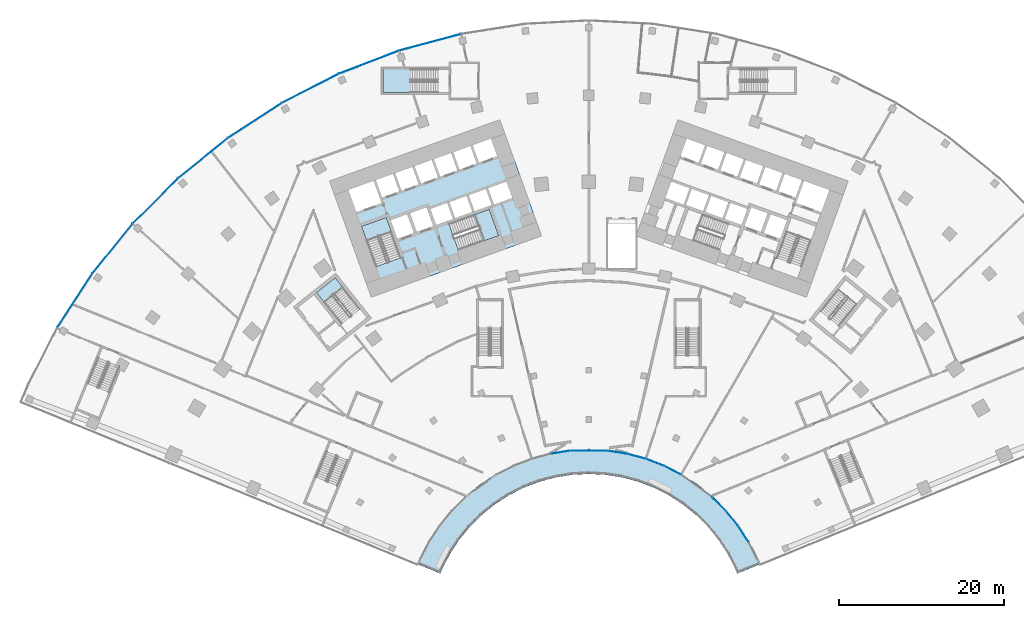
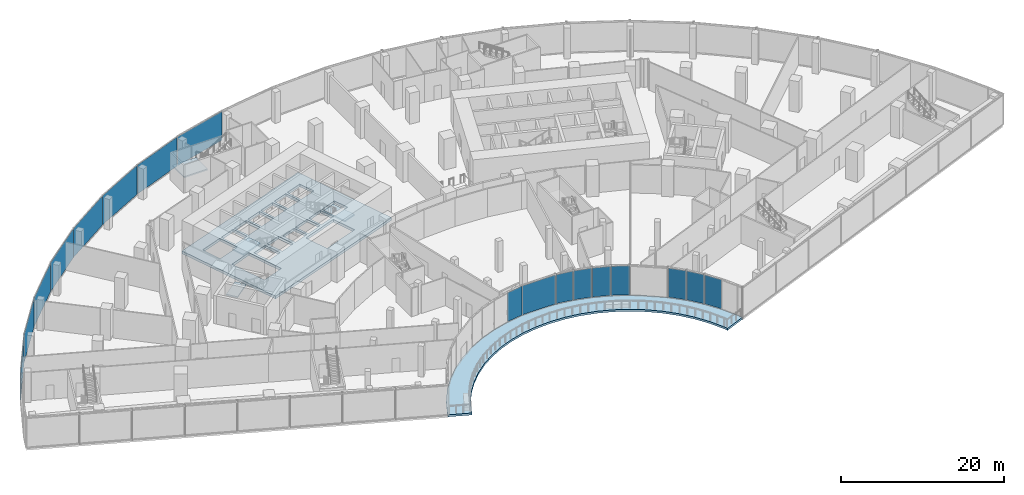
# One storey, part 18 of 40: 17 plates, 6 slabs, 6 elements without a shape of their own.
"""IFC4 building model written with IfcOpenShell, lengths in metres."""

from ifc_helpers import new_model, si_unit, direction, frame, origin, origin_2d, place, context, subcontext, project, spatial, polyline, rectangle, outline, extrude, material, layer, layer_set, type_object, element, aggregate, save


model = new_model("IFC4")

# Units and contexts
model_context = context("Model", 3, precision=1e-05, world=origin(), true_north=direction((0.0, 1.0)))
body_context = subcontext(model_context, "Body", "Model", "MODEL_VIEW")
ifc_project = project(units=[si_unit("LENGTHUNIT", "METRE"), si_unit("AREAUNIT", "SQUARE_METRE"), si_unit("VOLUMEUNIT", "CUBIC_METRE"), si_unit("PLANEANGLEUNIT", "RADIAN"), si_unit("MASSUNIT", "GRAM", prefix="KILO")], contexts=[model_context])

# Site, building, storey
site_placement = place(None, origin())
site = spatial("IfcSite", under=ifc_project, at=site_placement, CompositionType="ELEMENT")
building_placement = place(site_placement, origin())
building = spatial("IfcBuilding", under=site, at=building_placement, Name="Stone Belt Terrace Tower", CompositionType="ELEMENT")
storey_placement = place(building_placement, frame((0.0, 0.0, 11.60009765625)))
storey = spatial("IfcBuildingStorey", under=building, at=storey_placement, Name="L02", CompositionType="ELEMENT", Elevation=11.60009765625)

# Curtain wall, plates
ifc_material_1 = material(Name="Aluminium 6063-T6 anodised frame", Category="aluminium")
ifc_layer_1 = layer(ifc_material_1, 0.14990234375)
ifc_layer_set_1 = layer_set([ifc_layer_1], Name="CW-D podium shopfront")
curtain_wall_type = type_object("IfcCurtainWallType", Name="CW-D podium shopfront", PredefinedType="NOTDEFINED", material=ifc_layer_set_1)
curtain_wall_1_placement = place(storey_placement, origin())
curtain_wall_1 = element("IfcCurtainWall", 1, at=curtain_wall_1_placement, inside=storey, type_object=curtain_wall_type, Name="CW-D concave face L02", PredefinedType="NOTDEFINED")
ifc_material_2 = material(Name="Clear double glazed unit")
ifc_layer_2 = layer(ifc_material_2, 0.031982421875)
ifc_layer_set_2 = layer_set([ifc_layer_2], Name="CW-D glass panel 32")
plate_type = type_object("IfcPlateType", Name="CW-D glass panel 32", PredefinedType="CURTAIN_PANEL", material=ifc_layer_set_2)
plate_1_placement = place(storey_placement, frame((-3.505126953125, 22.1181640625, 0.1396484375), z_axis=(0.0, 0.0, 1.0), x_axis=(0.987688340595, 0.15643446504, 0.0)))
plate_1 = element("IfcPlate", 2, at=plate_1_placement, type_object=plate_type, Name="CW-D panel 10.1", PredefinedType="CURTAIN_PANEL", context=body_context, shape_type="SweptSolid", body=[
    extrude(rectangle(XDim=2.275634765625, YDim=0.031982421875, at=origin_2d()), origin(), (0.0, 0.0, 1.0), 4.320068359375),
])
plate_2_placement = place(storey_placement, frame((0.0, 22.3017578125, 0.1396484375), z_axis=(0.0, 0.0, 1.0), x_axis=(1.0, 0.0, 0.0)))
plate_2 = element("IfcPlate", 3, at=plate_2_placement, type_object=plate_type, Name="CW-D panel 11.1", PredefinedType="CURTAIN_PANEL", context=body_context, shape_type="SweptSolid", body=[
    extrude(rectangle(XDim=4.620361328125, YDim=0.031982421875, at=origin_2d()), origin(), (0.0, 0.0, 1.0), 4.320068359375),
])
plate_3_placement = place(storey_placement, frame((3.505126953125, 22.1181640625, 0.1396484375), z_axis=(0.0, 0.0, 1.0), x_axis=(0.987688340595, -0.15643446504, 0.0)))
plate_3 = element("IfcPlate", 4, at=plate_3_placement, type_object=plate_type, Name="CW-D panel 12.1", PredefinedType="CURTAIN_PANEL", context=body_context, shape_type="SweptSolid", body=[
    extrude(rectangle(XDim=2.275634765625, YDim=0.031982421875, at=origin_2d()), origin(), (0.0, 0.0, 1.0), 4.320068359375),
])
plate_4_placement = place(storey_placement, frame((5.796142578125, 21.631103515625, 0.1396484375), z_axis=(0.0, 0.0, 1.0), x_axis=(0.965925826289, -0.258819045103, 0.0)))
plate_4 = element("IfcPlate", 5, at=plate_4_placement, type_object=plate_type, Name="CW-D panel 13.1", PredefinedType="CURTAIN_PANEL", context=body_context, shape_type="SweptSolid", body=[
    extrude(rectangle(XDim=2.279541015625, YDim=0.031982421875, at=origin_2d()), origin(), (0.0, 0.0, 1.0), 4.320068359375),
])
plate_5_placement = place(storey_placement, frame((8.025390625, 20.90673828125, 0.1396484375), z_axis=(0.0, 0.0, 1.0), x_axis=(0.933580426497, -0.358367949545, 0.0)))
plate_5 = element("IfcPlate", 6, at=plate_5_placement, type_object=plate_type, Name="CW-D panel 14.1", PredefinedType="CURTAIN_PANEL", context=body_context, shape_type="SweptSolid", body=[
    extrude(rectangle(XDim=2.279541015625, YDim=0.031982421875, at=origin_2d()), origin(), (0.0, 0.0, 1.0), 4.320068359375),
])
plate_6_placement = place(storey_placement, frame((10.1650390625, 19.954345703125, 0.1396484375), z_axis=(0.0, 0.0, 1.0), x_axis=(0.891006524188, -0.45399049974, 0.0)))
plate_6 = element("IfcPlate", 7, at=plate_6_placement, type_object=plate_type, Name="CW-D panel 15.1", PredefinedType="CURTAIN_PANEL", context=body_context, shape_type="SweptSolid", body=[
    extrude(rectangle(XDim=2.275634765625, YDim=0.031982421875, at=origin_2d()), origin(), (0.0, 0.0, 1.0), 4.320068359375),
])
plate_7_placement = place(storey_placement, frame((15.83642578125, 15.833740234375, 0.1396484375), z_axis=(0.0, 0.0, 1.0), x_axis=(0.707106781187, -0.707106781187, 0.0)))
plate_7 = element("IfcPlate", 8, at=plate_7_placement, type_object=plate_type, Name="CW-D panel 17.1", PredefinedType="CURTAIN_PANEL", context=body_context, shape_type="SweptSolid", body=[
    extrude(rectangle(XDim=2.275634765625, YDim=0.031982421875, at=origin_2d()), origin(), (0.0, 0.0, 1.0), 4.320068359375),
])
plate_8_placement = place(storey_placement, frame((17.403564453125, 14.093017578125, 0.1396484375), z_axis=(0.0, 0.0, 1.0), x_axis=(0.62932039105, -0.777145961457, 0.0)))
plate_8 = element("IfcPlate", 9, at=plate_8_placement, type_object=plate_type, Name="CW-D panel 18.1", PredefinedType="CURTAIN_PANEL", context=body_context, shape_type="SweptSolid", body=[
    extrude(rectangle(XDim=2.279541015625, YDim=0.031982421875, at=origin_2d()), origin(), (0.0, 0.0, 1.0), 4.320068359375),
])
plate_9_placement = place(storey_placement, frame((18.78125, 12.19677734375, 0.1396484375), z_axis=(0.0, 0.0, 1.0), x_axis=(0.544639035015, -0.838670567945, 0.0)))
plate_9 = element("IfcPlate", 10, at=plate_9_placement, type_object=plate_type, Name="CW-D panel 19.1", PredefinedType="CURTAIN_PANEL", context=body_context, shape_type="SweptSolid", body=[
    extrude(rectangle(XDim=2.279541015625, YDim=0.031982421875, at=origin_2d()), origin(), (0.0, 0.0, 1.0), 4.320068359375),
])
aggregate(curtain_wall_1, [plate_1, plate_2, plate_3, plate_4, plate_5, plate_6, plate_7, plate_8, plate_9])

curtain_wall_2_placement = place(storey_placement, origin())
curtain_wall_2 = element("IfcCurtainWall", 11, at=curtain_wall_2_placement, inside=storey, type_object=curtain_wall_type, Name="CW-D convex face L02", PredefinedType="NOTDEFINED")
plate_10_placement = place(storey_placement, frame((-19.27490234375, 71.935302734375, 0.1396484375), z_axis=(0.0, 0.0, 1.0), x_axis=(-0.965925826289, -0.258819045103, 0.0)))
plate_10 = element("IfcPlate", 12, at=plate_10_placement, type_object=plate_type, Name="CW-D panel 15.1", PredefinedType="CURTAIN_PANEL", context=body_context, shape_type="SweptSolid", body=[
    extrude(rectangle(XDim=7.738037109375, YDim=0.031982421875, at=origin_2d()), origin(), (0.0, 0.0, 1.0), 4.320068359375),
])
plate_11_placement = place(storey_placement, frame((-26.688720703125, 69.5263671875, 0.1396484375), z_axis=(0.0, 0.0, 1.0), x_axis=(-0.933580426497, -0.358367949545, 0.0)))
plate_11 = element("IfcPlate", 13, at=plate_11_placement, type_object=plate_type, Name="CW-D panel 16.1", PredefinedType="CURTAIN_PANEL", context=body_context, shape_type="SweptSolid", body=[
    extrude(rectangle(XDim=7.738037109375, YDim=0.031982421875, at=origin_2d()), origin(), (0.0, 0.0, 1.0), 4.320068359375),
])
plate_12_placement = place(storey_placement, frame((-33.81005859375, 66.35595703125, 0.1396484375), z_axis=(0.0, 0.0, 1.0), x_axis=(-0.891006524188, -0.45399049974, 0.0)))
plate_12 = element("IfcPlate", 14, at=plate_12_placement, type_object=plate_type, Name="CW-D panel 17.1", PredefinedType="CURTAIN_PANEL", context=body_context, shape_type="SweptSolid", body=[
    extrude(rectangle(XDim=7.738037109375, YDim=0.031982421875, at=origin_2d()), origin(), (0.0, 0.0, 1.0), 4.320068359375),
])
plate_13_placement = place(storey_placement, frame((-40.560791015625, 62.458251953125, 0.1396484375), z_axis=(0.0, 0.0, 1.0), x_axis=(-0.838670567945, -0.544639035015, 0.0)))
plate_13 = element("IfcPlate", 15, at=plate_13_placement, type_object=plate_type, Name="CW-D panel 18.1", PredefinedType="CURTAIN_PANEL", context=body_context, shape_type="SweptSolid", body=[
    extrude(rectangle(XDim=7.738037109375, YDim=0.031982421875, at=origin_2d()), origin(), (0.0, 0.0, 1.0), 4.320068359375),
])
plate_14_placement = place(storey_placement, frame((-46.867431640625, 57.876220703125, 0.1396484375), z_axis=(0.0, 0.0, 1.0), x_axis=(-0.777145961457, -0.62932039105, 0.0)))
plate_14 = element("IfcPlate", 16, at=plate_14_placement, type_object=plate_type, Name="CW-D panel 19.1", PredefinedType="CURTAIN_PANEL", context=body_context, shape_type="SweptSolid", body=[
    extrude(rectangle(XDim=7.738037109375, YDim=0.031982421875, at=origin_2d()), origin(), (0.0, 0.0, 1.0), 4.320068359375),
])
plate_15_placement = place(storey_placement, frame((-52.660400390625, 52.660400390625, 0.1396484375), z_axis=(0.0, 0.0, 1.0), x_axis=(-0.707106781187, -0.707106781187, 0.0)))
plate_15 = element("IfcPlate", 17, at=plate_15_placement, type_object=plate_type, Name="CW-D panel 20.1", PredefinedType="CURTAIN_PANEL", context=body_context, shape_type="SweptSolid", body=[
    extrude(rectangle(XDim=7.738037109375, YDim=0.031982421875, at=origin_2d()), origin(), (0.0, 0.0, 1.0), 4.320068359375),
])
plate_16_placement = place(storey_placement, frame((-57.876220703125, 46.867431640625, 0.1396484375), z_axis=(0.0, 0.0, 1.0), x_axis=(-0.62932039105, -0.777145961457, 0.0)))
plate_16 = element("IfcPlate", 18, at=plate_16_placement, type_object=plate_type, Name="CW-D panel 21.1", PredefinedType="CURTAIN_PANEL", context=body_context, shape_type="SweptSolid", body=[
    extrude(rectangle(XDim=7.738037109375, YDim=0.031982421875, at=origin_2d()), origin(), (0.0, 0.0, 1.0), 4.320068359375),
])
plate_17_placement = place(storey_placement, frame((-62.458251953125, 40.560791015625, 0.1396484375), z_axis=(0.0, 0.0, 1.0), x_axis=(-0.544639035015, -0.838670567945, 0.0)))
plate_17 = element("IfcPlate", 19, at=plate_17_placement, type_object=plate_type, Name="CW-D panel 22.1", PredefinedType="CURTAIN_PANEL", context=body_context, shape_type="SweptSolid", body=[
    extrude(rectangle(XDim=7.738037109375, YDim=0.031982421875, at=origin_2d()), origin(), (0.0, 0.0, 1.0), 4.320068359375),
])
aggregate(curtain_wall_2, [plate_10, plate_11, plate_12, plate_13, plate_14, plate_15, plate_16, plate_17])

# Slab
ifc_material_3 = material(Name="Concrete B40", Category="concrete")
ifc_layer_3 = layer(ifc_material_3, 0.39990234375)
ifc_layer_set_3 = layer_set([ifc_layer_3], Name="Core floor slab 400")
slab_type_1 = type_object("IfcSlabType", Name="Core floor slab 400", PredefinedType="FLOOR", material=ifc_layer_set_3)
slab_1_placement = place(storey_placement, frame((0.0, 0.0, -0.400146484375)))
element("IfcSlab", 20, at=slab_1_placement, inside=storey, type_object=slab_type_1, Name="Core A floor L02", PredefinedType="FLOOR", context=body_context, shape_type="SweptSolid", body=[
    extrude(outline(polyline([(-26.43505859375, 40.968994140625), (-5.735107421875, 48.4189453125), (-10.81396484375, 62.531982421875), (-31.513916015625, 55.0830078125), (-26.43505859375, 40.968994140625)]), holes=[polyline([(-24.60791015625, 50.659912109375), (-22.847900390625, 45.76806640625), (-25.85888671875, 44.68408203125), (-27.618896484375, 49.575927734375), (-24.60791015625, 50.659912109375)]), polyline([(-21.27392578125, 48.778076171875), (-23.25, 48.06689453125), (-24.06298828125, 50.324951171875), (-22.0869140625, 51.035888671875), (-21.27392578125, 48.778076171875)]), polyline([(-18.922119140625, 49.6240234375), (-20.89794921875, 48.9130859375), (-21.7109375, 51.1708984375), (-19.735107421875, 51.883056640625), (-18.922119140625, 49.6240234375)]), polyline([(-19.239990234375, 51.68896484375), (-17.217041015625, 52.4169921875), (-16.52294921875, 50.488037109375), (-18.5458984375, 49.760009765625), (-19.239990234375, 51.68896484375)]), polyline([(-29.2109375, 53.9990234375), (-26.153076171875, 55.09912109375), (-25.18798828125, 52.41796875), (-28.24609375, 51.31689453125), (-29.2109375, 53.9990234375)]), polyline([(-23.801025390625, 55.946044921875), (-23.0390625, 53.8291015625), (-25.10888671875, 53.083984375), (-25.87109375, 55.200927734375), (-23.801025390625, 55.946044921875)]), polyline([(-21.447998046875, 56.7919921875), (-20.68603515625, 54.675048828125), (-22.756103515625, 53.929931640625), (-23.51806640625, 56.047119140625), (-21.447998046875, 56.7919921875)]), polyline([(-19.095947265625, 57.638916015625), (-18.333984375, 55.52197265625), (-20.404052734375, 54.777099609375), (-21.166015625, 56.89404296875), (-19.095947265625, 57.638916015625)]), polyline([(-15.846923828125, 46.69189453125), (-16.998046875, 49.89208984375), (-12.10595703125, 51.652099609375), (-10.955078125, 48.452880859375), (-15.846923828125, 46.69189453125)]), polyline([(-16.239990234375, 50.589111328125), (-16.93408203125, 52.51806640625), (-14.864013671875, 53.262939453125), (-14.169921875, 51.333984375), (-16.239990234375, 50.589111328125)]), polyline([(-11.801025390625, 52.134033203125), (-11.847900390625, 52.116943359375), (-11.864990234375, 52.1640625), (-13.887939453125, 51.43603515625), (-14.58203125, 53.364990234375), (-12.511962890625, 54.110107421875), (-11.801025390625, 52.134033203125)]), polyline([(-9.30810546875, 53.031005859375), (-11.51904296875, 52.235107421875), (-12.22998046875, 54.2109375), (-10.01904296875, 55.007080078125), (-9.30810546875, 53.031005859375)]), polyline([(-16.743896484375, 58.485107421875), (-15.98193359375, 56.367919921875), (-18.052001953125, 55.623046875), (-18.81396484375, 57.739990234375), (-16.743896484375, 58.485107421875)]), polyline([(-14.39111328125, 59.33203125), (-13.6298828125, 57.215087890625), (-15.699951171875, 56.469970703125), (-16.4609375, 58.5869140625), (-14.39111328125, 59.33203125)]), polyline([(-11.89794921875, 60.22900390625), (-11.135986328125, 58.112060546875), (-13.346923828125, 57.31591796875), (-14.10888671875, 59.43408203125), (-11.89794921875, 60.22900390625)])]), origin(), (0.0, 0.0, 1.0), 0.400146484375),
])

# Stair, slab
ifc_material_4 = material(Name="Concrete B30", Category="concrete")
stair_type_1 = type_object("IfcStairType", Name="Podium stair concrete B30", PredefinedType="HALF_TURN_STAIR", material=ifc_material_4)
stair_1_placement = place(storey_placement, origin())
stair_1 = element("IfcStair", 21, at=stair_1_placement, inside=storey, type_object=stair_type_1, Name="L02 podium exit stair 7", PredefinedType="HALF_TURN_STAIR")
ifc_layer_4 = layer(ifc_material_4, 0.199951171875)
ifc_layer_set_4 = layer_set([ifc_layer_4], Name="Podium stair landing concrete B30")
slab_type_2 = type_object("IfcSlabType", Name="Podium stair landing concrete B30", PredefinedType="LANDING", material=ifc_layer_set_4)
slab_2_placement = place(storey_placement, frame((0.0, 0.0, 2.099853515625)))
slab_2 = element("IfcSlab", 22, at=slab_2_placement, type_object=slab_type_2, Name="PS7 landing 1", PredefinedType="LANDING", context=body_context, shape_type="SweptSolid", body=[
    extrude(outline(polyline([(-21.697021484375, 68.675048828125), (-25.010009765625, 68.675048828125), (-25.010009765625, 65.824951171875), (-21.697021484375, 65.824951171875), (-21.697021484375, 68.675048828125)])), origin(), (0.0, 0.0, 1.0), 0.199951171875),
])
aggregate(stair_1, [slab_2])

stair_type_2 = type_object("IfcStairType", Name="Exit stair 1500", PredefinedType="HALF_TURN_STAIR", material=ifc_material_3)
stair_2_placement = place(storey_placement, origin())
stair_2 = element("IfcStair", 23, at=stair_2_placement, inside=storey, type_object=stair_type_2, Name="L02 Exit stair 1 core A", PredefinedType="HALF_TURN_STAIR")
ifc_layer_5 = layer(ifc_material_3, 0.199951171875)
ifc_layer_set_5 = layer_set([ifc_layer_5], Name="Stair landing 200")
slab_type_3 = type_object("IfcSlabType", Name="Stair landing 200", PredefinedType="LANDING", material=ifc_layer_set_5)
slab_3_placement = place(storey_placement, frame((0.0, 0.0, 2.099853515625)))
slab_3 = element("IfcSlab", 24, at=slab_3_placement, type_object=slab_type_3, Name="ST1A landing 1", PredefinedType="LANDING", context=body_context, shape_type="SweptSolid", body=[
    extrude(outline(polyline([(-23.985107421875, 48.927734375), (-24.6083984375, 50.659912109375), (-27.619384765625, 49.576171875), (-26.99609375, 47.84423828125), (-23.985107421875, 48.927734375)])), origin(), (0.0, 0.0, 1.0), 0.199951171875),
])
aggregate(stair_2, [slab_3])

stair_3_placement = place(storey_placement, origin())
stair_3 = element("IfcStair", 25, at=stair_3_placement, inside=storey, type_object=stair_type_2, Name="L02 Exit stair 2 core A", PredefinedType="HALF_TURN_STAIR")
slab_4_placement = place(storey_placement, frame((0.0, 0.0, 2.099853515625)))
slab_4 = element("IfcSlab", 26, at=slab_4_placement, type_object=slab_type_3, Name="ST2A landing 1", PredefinedType="LANDING", context=body_context, shape_type="SweptSolid", body=[
    extrude(outline(polyline([(-12.6865234375, 47.82958984375), (-10.95458984375, 48.453125), (-12.10595703125, 51.652099609375), (-13.837890625, 51.02880859375), (-12.6865234375, 47.82958984375)])), origin(), (0.0, 0.0, 1.0), 0.199951171875),
])
aggregate(stair_3, [slab_4])

stair_4_placement = place(storey_placement, origin())
stair_4 = element("IfcStair", 27, at=stair_4_placement, inside=storey, type_object=stair_type_2, Name="L02 Exit stair 3A", PredefinedType="HALF_TURN_STAIR")
slab_5_placement = place(storey_placement, frame((0.0, 0.0, 2.099853515625)))
slab_5 = element("IfcSlab", 28, at=slab_5_placement, type_object=slab_type_3, Name="ST3A landing 1", PredefinedType="LANDING", context=body_context, shape_type="SweptSolid", body=[
    extrude(outline(polyline([(-29.890625, 42.171875), (-30.819580078125, 43.337890625), (-33.087646484375, 41.53076171875), (-32.15869140625, 40.36474609375), (-29.890625, 42.171875)])), origin(), (0.0, 0.0, 1.0), 0.199951171875),
])
aggregate(stair_4, [slab_5])

# Slab
ifc_layer_6 = layer(ifc_material_3, 0.300048828125)
ifc_layer_set_6 = layer_set([ifc_layer_6], Name="Terrace slab 300 B40")
slab_type_4 = type_object("IfcSlabType", Name="Terrace slab 300 B40", PredefinedType="FLOOR", material=ifc_layer_set_6)
slab_6_placement = place(storey_placement, frame((0.0, 0.0, -0.300048828125)))
element("IfcSlab", 29, at=slab_6_placement, inside=storey, type_object=slab_type_4, Name="Terrace slab L02-podium_terrace-1", PredefinedType="FLOOR", context=body_context, shape_type="SweptSolid", body=[
    extrude(outline(polyline([(-20.819091796875, 8.532958984375), (-18.043212890625, 7.395263671875), (-17.814208984375, 7.931396484375), (-16.887451171875, 9.75), (-15.77587890625, 11.4619140625), (-14.4912109375, 13.048095703125), (-13.048095703125, 14.4912109375), (-11.4619140625, 15.77587890625), (-9.75, 16.887451171875), (-7.931396484375, 17.814208984375), (-6.02587890625, 18.545654296875), (-4.05419921875, 19.073974609375), (-2.038330078125, 19.393310546875), (0.0, 19.5), (2.038330078125, 19.393310546875), (4.05419921875, 19.073974609375), (6.02587890625, 18.545654296875), (7.931396484375, 17.814208984375), (9.75, 16.887451171875), (11.4619140625, 15.77587890625), (13.048095703125, 14.4912109375), (14.4912109375, 13.048095703125), (15.77587890625, 11.4619140625), (16.887451171875, 9.75), (17.814208984375, 7.931396484375), (18.043212890625, 7.395263671875), (20.819091796875, 8.532958984375), (20.5546875, 9.151611328125), (19.485595703125, 11.25), (18.202880859375, 13.22509765625), (16.720703125, 15.055419921875), (15.055419921875, 16.720703125), (13.22509765625, 18.202880859375), (11.25, 19.485595703125), (9.151611328125, 20.5546875), (6.952880859375, 21.398681640625), (4.677978515625, 22.00830078125), (2.351806640625, 22.376708984375), (0.0, 22.5), (-2.351806640625, 22.376708984375), (-4.677978515625, 22.00830078125), (-6.952880859375, 21.398681640625), (-9.151611328125, 20.5546875), (-11.25, 19.485595703125), (-13.22509765625, 18.202880859375), (-15.055419921875, 16.720703125), (-16.720703125, 15.055419921875), (-18.202880859375, 13.22509765625), (-19.485595703125, 11.25), (-20.5546875, 9.151611328125), (-20.819091796875, 8.532958984375)])), origin(), (0.0, 0.0, 1.0), 0.300048828125),
])

save(model, "model.ifc")
